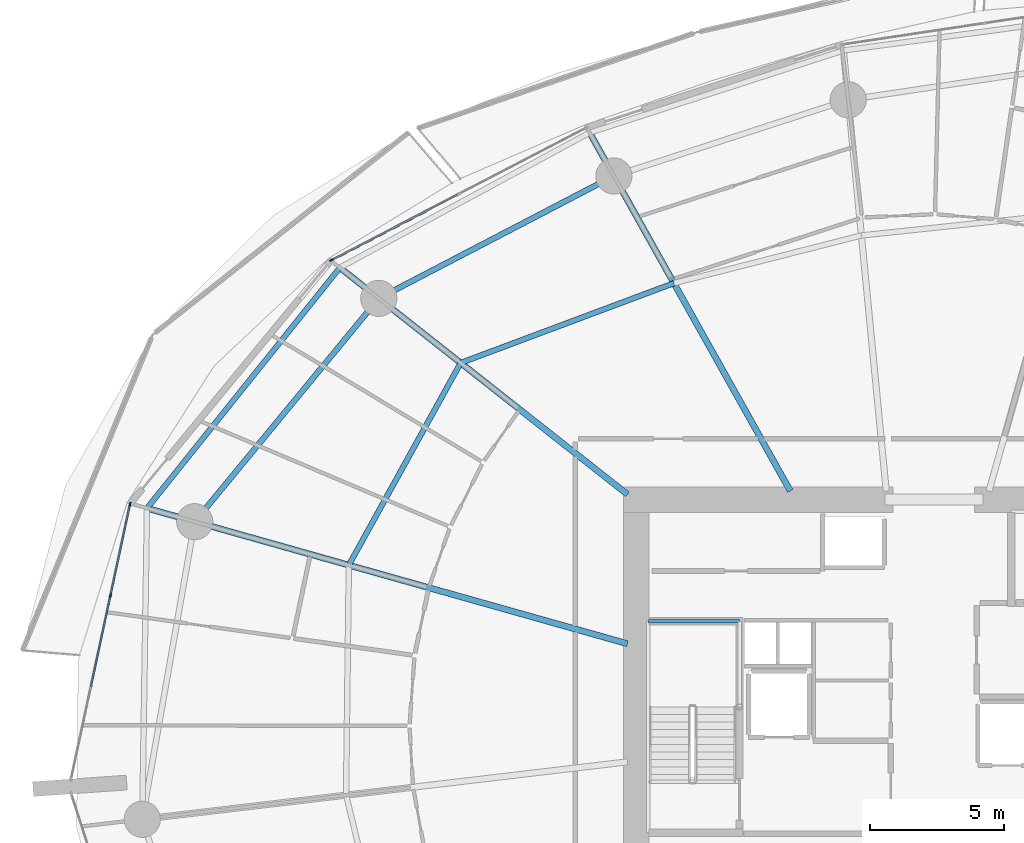
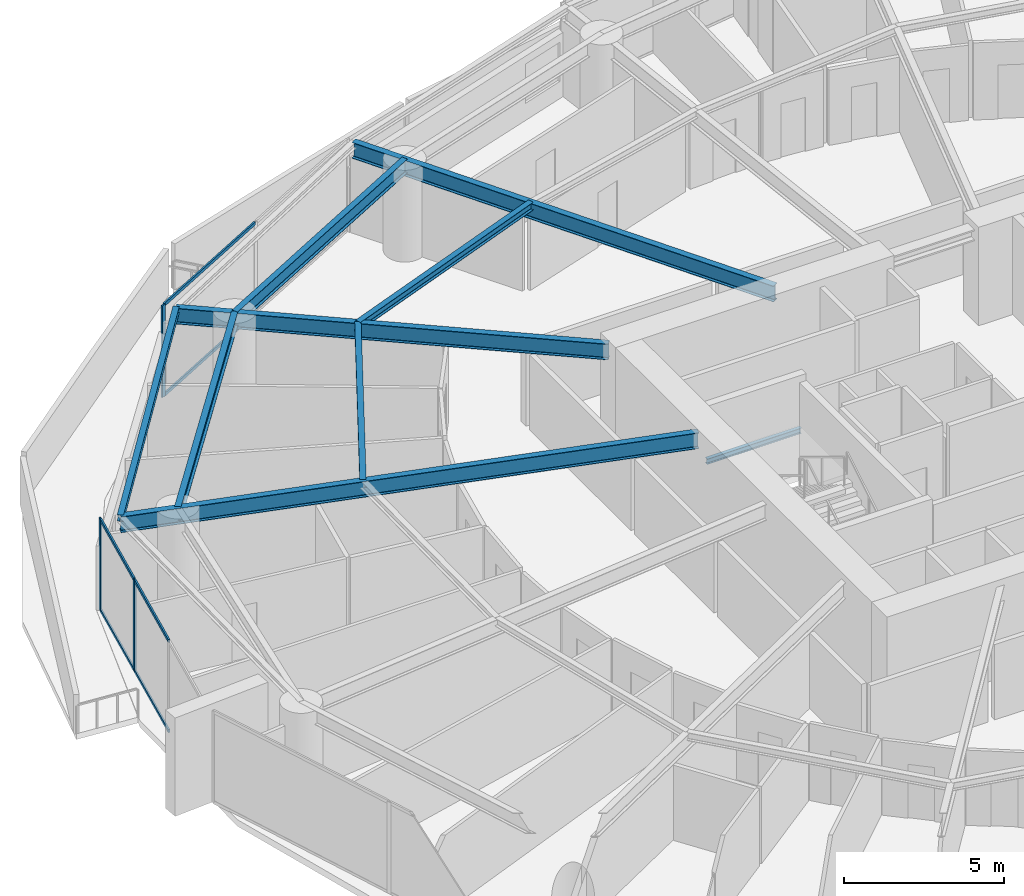
# One storey, part 12 of 31: 9 beams, 9 members, 2 elements without a shape of their own.
"""IFC4 building model written with IfcOpenShell, lengths in metres."""

from ifc_helpers import new_model, si_unit, direction, frame, origin, origin_2d, place, context, subcontext, project, spatial, rectangle, i_section, extrude, material, layer, layer_set, material_profile, profile_set, type_object, element, aggregate, save


model = new_model("IFC4")

# Units and contexts
model_context = context("Model", 3, precision=1e-05, world=origin(), true_north=direction((0.0, 1.0)))
body_context = subcontext(model_context, "Body", "Model", "MODEL_VIEW")
ifc_project = project(units=[si_unit("LENGTHUNIT", "METRE"), si_unit("AREAUNIT", "SQUARE_METRE"), si_unit("VOLUMEUNIT", "CUBIC_METRE"), si_unit("PLANEANGLEUNIT", "RADIAN"), si_unit("MASSUNIT", "GRAM", prefix="KILO")], contexts=[model_context])

# Site, building, storey
site_placement = place(None, origin())
site = spatial("IfcSite", under=ifc_project, at=site_placement, CompositionType="ELEMENT")
building_placement = place(site_placement, origin())
building = spatial("IfcBuilding", under=site, at=building_placement, Name="Kazma Halo Residences", CompositionType="ELEMENT")
storey_placement = place(building_placement, frame((0.0, 0.0, 48.89990234375)))
storey = spatial("IfcBuildingStorey", under=building, at=storey_placement, Name="L11", CompositionType="ELEMENT", Elevation=48.89990234375)

# Beams
ifc_material_1 = material(Name="Steel S355", Category="steel")
ifc_material_profile_1 = material_profile(ifc_material_1, i_section(OverallWidth=0.201904296875, OverallDepth=0.2470703125, WebThickness=0.00732421875, FlangeThickness=0.010986328125, FilletRadius=0.011962890625, at=origin_2d()), Name="W250x49.1")
ifc_profile_set_1 = profile_set([ifc_material_profile_1], Name="Steel S355")
beam_type_1 = type_object("IfcBeamType", Name="BM-BAL-CANT", PredefinedType="BEAM", material=ifc_profile_set_1)
beam_1_placement = place(storey_placement, frame((26.271484375, 59.12939453125, 3.376708984375), z_axis=(-0.625476617708, -0.780242911343, 0.0), x_axis=(0.780242911343, -0.625476617708, 0.0)))
element("IfcBeam", 1, at=beam_1_placement, inside=storey, type_object=beam_type_1, Name="L11 wave-balcony tie beam 06", PredefinedType="BEAM", context=body_context, shape_type="SweptSolid", body=[
    extrude(i_section(OverallWidth=0.201904296875, OverallDepth=0.2470703125, WebThickness=0.00732421875, FlangeThickness=0.010986328125, FilletRadius=0.011962890625, at=origin_2d()), origin(), (0.0, 0.0, 1.0), 11.499755859375),
])
ifc_material_profile_2 = material_profile(ifc_material_1, i_section(OverallWidth=0.22802734375, OverallDepth=0.60791015625, WebThickness=0.01123046875, FlangeThickness=0.017333984375, FilletRadius=0.01806640625, at=origin_2d()), Name="W610x113")
ifc_profile_set_2 = profile_set([ifc_material_profile_2], Name="Steel S355")
beam_type_2 = type_object("IfcBeamType", Name="BM-RAD-W610", PredefinedType="BEAM", material=ifc_profile_set_2)
beam_2_placement = place(storey_placement, frame((43.07177734375, 50.800048828125, 3.196044921875), z_axis=(-0.488624239587, 0.872494328055, 0.0), x_axis=(-0.872494328055, -0.488624239587, 0.0)))
element("IfcBeam", 2, at=beam_2_placement, inside=storey, type_object=beam_type_2, Name="L11 radial floor beam 05", PredefinedType="BEAM", context=body_context, shape_type="SweptSolid", body=[
    extrude(i_section(OverallWidth=0.22802734375, OverallDepth=0.60791015625, WebThickness=0.01123046875, FlangeThickness=0.017333984375, FilletRadius=0.01806640625, at=origin_2d()), origin(), (0.0, 0.0, 1.0), 15.316650390625),
])
beam_3_placement = place(storey_placement, frame((37.0, 50.671630859375, 3.196044921875), z_axis=(-0.78531394447, 0.619097737536, 0.0), x_axis=(-0.619097737536, -0.78531394447, 0.0)))
element("IfcBeam", 3, at=beam_3_placement, inside=storey, type_object=beam_type_2, Name="L11 radial floor beam 06", PredefinedType="BEAM", context=body_context, shape_type="SweptSolid", body=[
    extrude(i_section(OverallWidth=0.22802734375, OverallDepth=0.60791015625, WebThickness=0.01123046875, FlangeThickness=0.017333984375, FilletRadius=0.01806640625, at=origin_2d()), origin(), (0.0, 0.0, 1.0), 13.661376953125),
])
beam_4_placement = place(storey_placement, frame((37.0, 45.102294921875, 3.196044921875), z_axis=(-0.962453979784, 0.271444905641, 0.0), x_axis=(-0.271444905641, -0.962453979784, 0.0)))
element("IfcBeam", 4, at=beam_4_placement, inside=storey, type_object=beam_type_2, Name="L11 radial floor beam 07", PredefinedType="BEAM", context=body_context, shape_type="SweptSolid", body=[
    extrude(i_section(OverallWidth=0.22802734375, OverallDepth=0.60791015625, WebThickness=0.01123046875, FlangeThickness=0.017333984375, FilletRadius=0.01806640625, at=origin_2d()), origin(), (0.0, 0.0, 1.0), 18.62060546875),
])
ifc_material_profile_3 = material_profile(ifc_material_1, i_section(OverallWidth=0.202880859375, OverallDepth=0.302978515625, WebThickness=0.007568359375, FlangeThickness=0.01318359375, FilletRadius=0.013916015625, at=origin_2d()), Name="W310x60")
ifc_profile_set_3 = profile_set([ifc_material_profile_3], Name="Steel S355")
beam_type_3 = type_object("IfcBeamType", Name="BM-SEC-W310A", PredefinedType="JOIST", material=ifc_profile_set_3)
beam_5_placement = place(storey_placement, frame((38.73095703125, 58.55078125, 3.3486328125), z_axis=(-0.936676104069, -0.350196910417, 0.0), x_axis=(0.350196910417, -0.936676104069, 0.0)))
element("IfcBeam", 5, at=beam_5_placement, inside=storey, type_object=beam_type_3, Name="L11 circumferential floor joist 05", PredefinedType="JOIST", context=body_context, shape_type="SweptSolid", body=[
    extrude(i_section(OverallWidth=0.202880859375, OverallDepth=0.302978515625, WebThickness=0.007568359375, FlangeThickness=0.01318359375, FilletRadius=0.013916015625, at=origin_2d()), origin(), (0.0, 0.0, 1.0), 8.4912109375),
])
beam_6_placement = place(storey_placement, frame((30.77734375, 55.5771484375, 3.3486328125), z_axis=(-0.483953872195, -0.875093509054, 0.0), x_axis=(0.875093509054, -0.483953872195, 0.0)))
element("IfcBeam", 6, at=beam_6_placement, inside=storey, type_object=beam_type_3, Name="L11 circumferential floor joist 06", PredefinedType="JOIST", context=body_context, shape_type="SweptSolid", body=[
    extrude(i_section(OverallWidth=0.202880859375, OverallDepth=0.302978515625, WebThickness=0.007568359375, FlangeThickness=0.01318359375, FilletRadius=0.013916015625, at=origin_2d()), origin(), (0.0, 0.0, 1.0), 8.619873046875),
])
ifc_material_profile_4 = material_profile(ifc_material_1, i_section(OverallWidth=0.208984375, OverallDepth=0.532958984375, WebThickness=0.01025390625, FlangeThickness=0.015625, FilletRadius=0.01611328125, at=origin_2d()), Name="W530x92")
ifc_profile_set_4 = profile_set([ifc_material_profile_4], Name="Steel S355")
beam_type_4 = type_object("IfcBeamType", Name="BM-SPN-W530", PredefinedType="BEAM", material=ifc_profile_set_4)
beam_7_placement = place(storey_placement, frame((36.49169921875, 62.549560546875, 3.233642578125), z_axis=(-0.886956241699, -0.461853467358, 0.0), x_axis=(0.461853467358, -0.886956241699, 0.0)))
element("IfcBeam", 7, at=beam_7_placement, inside=storey, type_object=beam_type_4, Name="L11 perimeter ring beam 05", PredefinedType="BEAM", context=body_context, shape_type="SweptSolid", body=[
    extrude(i_section(OverallWidth=0.208984375, OverallDepth=0.532958984375, WebThickness=0.01025390625, FlangeThickness=0.015625, FilletRadius=0.01611328125, at=origin_2d()), origin(), (0.0, 0.0, 1.0), 9.885009765625),
])
beam_8_placement = place(storey_placement, frame((27.72412109375, 57.984130859375, 3.233642578125), z_axis=(-0.636001336663, -0.771687954916, 0.0), x_axis=(0.771687954916, -0.636001336663, 0.0)))
element("IfcBeam", 8, at=beam_8_placement, inside=storey, type_object=beam_type_4, Name="L11 perimeter ring beam 06", PredefinedType="BEAM", context=body_context, shape_type="SweptSolid", body=[
    extrude(i_section(OverallWidth=0.208984375, OverallDepth=0.532958984375, WebThickness=0.01025390625, FlangeThickness=0.015625, FilletRadius=0.01611328125, at=origin_2d()), origin(), (0.0, 0.0, 1.0), 10.7939453125),
])
ifc_material_profile_5 = material_profile(ifc_material_1, i_section(OverallWidth=0.133056640625, OverallDepth=0.20703125, WebThickness=0.005859375, FlangeThickness=0.00830078125, FilletRadius=0.010009765625, at=origin_2d()), Name="W200x26.6")
ifc_profile_set_5 = profile_set([ifc_material_profile_5], Name="Steel S355")
beam_type_5 = type_object("IfcBeamType", Name="BM-TRIM-W200", PredefinedType="BEAM", material=ifc_profile_set_5)
beam_9_placement = place(storey_placement, frame((37.780029296875, 45.93994140625, 1.570068359375), z_axis=(1.0, 0.0, 0.0), x_axis=(0.0, 1.0, 0.0)))
element("IfcBeam", 9, at=beam_9_placement, inside=storey, type_object=beam_type_5, Name="L11 ST-01 landing end wall ledger", PredefinedType="BEAM", context=body_context, shape_type="SweptSolid", body=[
    extrude(i_section(OverallWidth=0.133056640625, OverallDepth=0.20703125, WebThickness=0.005859375, FlangeThickness=0.00830078125, FilletRadius=0.010009765625, at=origin_2d()), origin(), (0.0, 0.0, 1.0), 3.39990234375),
])

# Curtain wall, member
ifc_material_2 = material(Name="Aluminium AW-6063 T6 and Triple-Silver Low-E Glass", Category="aluminium")
ifc_layer = layer(ifc_material_2, 0.159912109375)
ifc_layer_set = layer_set([ifc_layer], Name="Aluminium AW-6063 T6 and Triple-Silver Low-E Glass")
curtain_wall_type = type_object("IfcCurtainWallType", Name="CW-SYS-2", PredefinedType="NOTDEFINED", material=ifc_layer_set)
curtain_wall_1_placement = place(storey_placement, origin())
curtain_wall_1 = element("IfcCurtainWall", 10, at=curtain_wall_1_placement, inside=storey, type_object=curtain_wall_type, Name="L11 unitised curtain wall B05", PredefinedType="NOTDEFINED")
ifc_material_3 = material(Name="Aluminium AW-6063 T6", Category="aluminium")
ifc_material_profile_6 = material_profile(ifc_material_3, rectangle(XDim=0.06005859375, YDim=0.159912109375, at=origin_2d()), Name="CWM-60x160")
ifc_profile_set_6 = profile_set([ifc_material_profile_6], Name="Aluminium AW-6063 T6")
member_type_1 = type_object("IfcMemberType", Name="CW-SYS-2-MUL", PredefinedType="MULLION", material=ifc_profile_set_6)
member_1_placement = place(storey_placement, frame((25.96142578125, 59.408447265625, 0.0), z_axis=(0.0, 0.0, 1.0), x_axis=(0.460995912628, -0.887402258584, 0.0)))
member_1 = element("IfcMember", 11, at=member_1_placement, type_object=member_type_1, Name="CWS-2 mullion 3", PredefinedType="MULLION", context=body_context, shape_type="SweptSolid", body=[
    extrude(rectangle(XDim=0.06005859375, YDim=0.159912109375, at=origin_2d()), origin(), (0.0, 0.0, 1.0), 3.5),
])

# Curtain wall, members
curtain_wall_2_placement = place(storey_placement, origin())
curtain_wall_2 = element("IfcCurtainWall", 12, at=curtain_wall_2_placement, inside=storey, type_object=curtain_wall_type, Name="L11 unitised curtain wall B07", PredefinedType="NOTDEFINED")
member_2_placement = place(storey_placement, frame((18.447021484375, 50.3037109375, 0.0), z_axis=(0.0, 0.0, 1.0), x_axis=(0.977779215096, -0.209637321406, 0.0)))
member_2 = element("IfcMember", 13, at=member_2_placement, type_object=member_type_1, Name="CWS-2 mullion 1", PredefinedType="MULLION", context=body_context, shape_type="SweptSolid", body=[
    extrude(rectangle(XDim=0.06005859375, YDim=0.159912109375, at=origin_2d()), origin(), (0.0, 0.0, 1.0), 3.5),
])
member_3_placement = place(storey_placement, frame((17.717041015625, 46.898681640625, 0.0), z_axis=(0.0, 0.0, 1.0), x_axis=(0.977779215096, -0.209637321406, 0.0)))
member_3 = element("IfcMember", 14, at=member_3_placement, type_object=member_type_1, Name="CWS-2 mullion 2", PredefinedType="MULLION", context=body_context, shape_type="SweptSolid", body=[
    extrude(rectangle(XDim=0.06005859375, YDim=0.159912109375, at=origin_2d()), origin(), (0.0, 0.0, 1.0), 3.5),
])

# Member
ifc_material_profile_7 = material_profile(ifc_material_3, rectangle(XDim=0.06005859375, YDim=0.1201171875, at=origin_2d()), Name="CWT-60x120")
ifc_profile_set_7 = profile_set([ifc_material_profile_7], Name="Aluminium AW-6063 T6")
member_type_2 = type_object("IfcMemberType", Name="CW-SYS-2-TRN", PredefinedType="USERDEFINED", material=ifc_profile_set_7)
member_4_placement = place(storey_placement, frame((30.681396484375, 61.8603515625, 0.030029296875), z_axis=(-0.887414738583, -0.460971888238, 0.0), x_axis=(0.460971888238, -0.887414738583, 0.0)))
member_4 = element("IfcMember", 15, at=member_4_placement, type_object=member_type_2, Name="CWS-2 transom 2.1", ObjectType="TRANSOM", PredefinedType="USERDEFINED", context=body_context, shape_type="SweptSolid", body=[
    extrude(rectangle(XDim=0.06005859375, YDim=0.1201171875, at=origin_2d()), origin(), (0.0, 0.0, 1.0), 5.288818359375),
])

member_5_placement = place(storey_placement, frame((30.681396484375, 61.8603515625, 3.47021484375), z_axis=(-0.887414738583, -0.460971888238, 0.0), x_axis=(0.460971888238, -0.887414738583, 0.0)))
member_5 = element("IfcMember", 16, at=member_5_placement, type_object=member_type_2, Name="CWS-2 transom 2.2", ObjectType="TRANSOM", PredefinedType="USERDEFINED", context=body_context, shape_type="SweptSolid", body=[
    extrude(rectangle(XDim=0.06005859375, YDim=0.1201171875, at=origin_2d()), origin(), (0.0, 0.0, 1.0), 5.288818359375),
])

aggregate(curtain_wall_1, [member_1, member_4, member_5])

member_6_placement = place(storey_placement, frame((18.440673828125, 50.2744140625, 0.030029296875), z_axis=(-0.209650877007, -0.977776308657, 0.0), x_axis=(0.977776308657, -0.209650877007, 0.0)))
member_6 = element("IfcMember", 17, at=member_6_placement, type_object=member_type_2, Name="CWS-2 transom 1.1", ObjectType="TRANSOM", PredefinedType="USERDEFINED", context=body_context, shape_type="SweptSolid", body=[
    extrude(rectangle(XDim=0.06005859375, YDim=0.1201171875, at=origin_2d()), origin(), (0.0, 0.0, 1.0), 3.422607421875),
])

member_7_placement = place(storey_placement, frame((18.440673828125, 50.2744140625, 3.47021484375), z_axis=(-0.209650877007, -0.977776308657, 0.0), x_axis=(0.977776308657, -0.209650877007, 0.0)))
member_7 = element("IfcMember", 18, at=member_7_placement, type_object=member_type_2, Name="CWS-2 transom 1.2", ObjectType="TRANSOM", PredefinedType="USERDEFINED", context=body_context, shape_type="SweptSolid", body=[
    extrude(rectangle(XDim=0.06005859375, YDim=0.1201171875, at=origin_2d()), origin(), (0.0, 0.0, 1.0), 3.422607421875),
])

member_8_placement = place(storey_placement, frame((17.710693359375, 46.869384765625, 0.030029296875), z_axis=(-0.209669136217, -0.977772393412, 0.0), x_axis=(0.977772393412, -0.209669136217, 0.0)))
member_8 = element("IfcMember", 19, at=member_8_placement, type_object=member_type_2, Name="CWS-2 transom 2.1", ObjectType="TRANSOM", PredefinedType="USERDEFINED", context=body_context, shape_type="SweptSolid", body=[
    extrude(rectangle(XDim=0.06005859375, YDim=0.1201171875, at=origin_2d()), origin(), (0.0, 0.0, 1.0), 3.452392578125),
])

member_9_placement = place(storey_placement, frame((17.710693359375, 46.869384765625, 3.47021484375), z_axis=(-0.209669136217, -0.977772393412, 0.0), x_axis=(0.977772393412, -0.209669136217, 0.0)))
member_9 = element("IfcMember", 20, at=member_9_placement, type_object=member_type_2, Name="CWS-2 transom 2.2", ObjectType="TRANSOM", PredefinedType="USERDEFINED", context=body_context, shape_type="SweptSolid", body=[
    extrude(rectangle(XDim=0.06005859375, YDim=0.1201171875, at=origin_2d()), origin(), (0.0, 0.0, 1.0), 3.452392578125),
])

aggregate(curtain_wall_2, [member_2, member_3, member_6, member_7, member_8, member_9])

save(model, "model.ifc")
